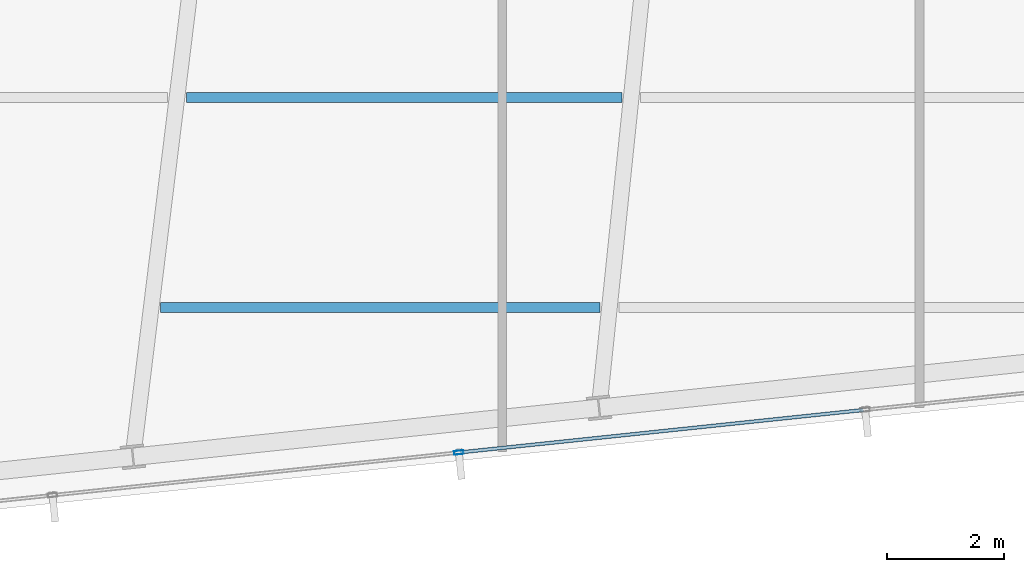
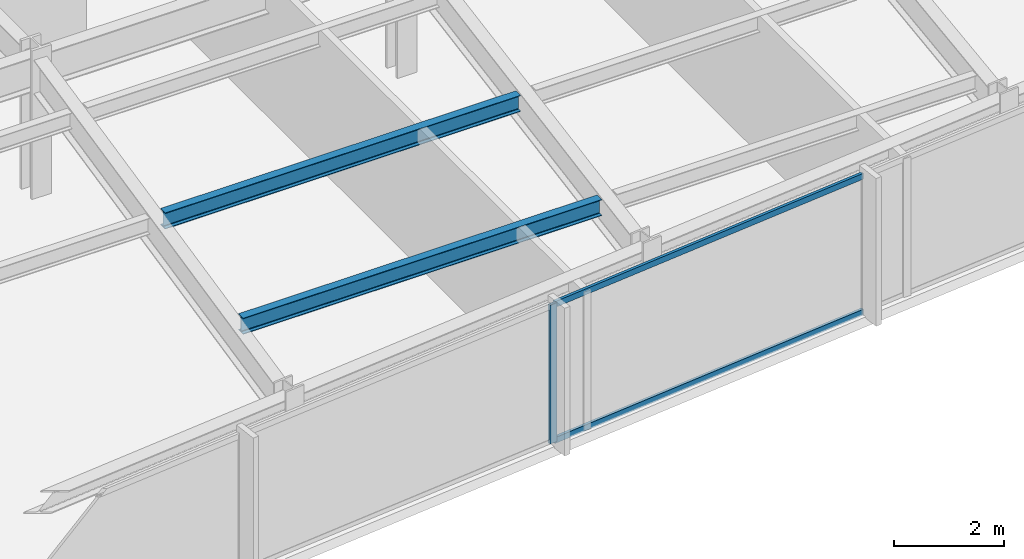
# One storey, part 7 of 32: 3 members, 2 beams, 1 element without a shape of its own.
"""IFC4 building model written with IfcOpenShell, lengths in metres."""

from ifc_helpers import new_model, si_unit, direction, frame, origin, origin_2d, place, context, subcontext, project, spatial, hollow_rectangle, i_section, extrude, material, material_profile, profile_set, type_object, element, aggregate, save


model = new_model("IFC4")

# Units and contexts
model_context = context("Model", 3, precision=1e-05, world=origin(), true_north=direction((0.0, 1.0)))
body_context = subcontext(model_context, "Body", "Model", "MODEL_VIEW")
ifc_project = project(units=[si_unit("LENGTHUNIT", "METRE"), si_unit("AREAUNIT", "SQUARE_METRE"), si_unit("VOLUMEUNIT", "CUBIC_METRE"), si_unit("PLANEANGLEUNIT", "RADIAN"), si_unit("MASSUNIT", "GRAM", prefix="KILO")], contexts=[model_context])

# Site, building, storey
site_placement = place(None, origin())
site = spatial("IfcSite", under=ifc_project, at=site_placement, CompositionType="ELEMENT")
building_placement = place(site_placement, origin())
building = spatial("IfcBuilding", under=site, at=building_placement, Name="Yelkora Congress Tower", CompositionType="ELEMENT")
storey_placement = place(building_placement, frame((0.0, 0.0, 207.800048828125)))
storey = spatial("IfcBuildingStorey", under=building, at=storey_placement, Name="L57", CompositionType="ELEMENT", Elevation=207.800048828125)

# Beams
ifc_material_1 = material(Name="Steel S355J2", Category="steel")
ifc_material_profile_1 = material_profile(ifc_material_1, i_section(OverallWidth=0.169921875, OverallDepth=0.360107421875, WebThickness=0.008056640625, FlangeThickness=0.0126953125, FilletRadius=0.01806640625, at=origin_2d()), Name="IPE 360")
ifc_profile_set_1 = profile_set([ifc_material_profile_1], Name="Steel S355J2")
beam_type = type_object("IfcBeamType", Name="BM-JOIST-IPE360", PredefinedType="JOIST", material=ifc_profile_set_1)
beam_1_placement = place(storey_placement, frame((29.76220703125, 16.07861328125, 2.89990234375), z_axis=(1.0, 0.0, 0.0), x_axis=(0.0, 1.0, 0.0)))
element("IfcBeam", 1, at=beam_1_placement, inside=storey, type_object=beam_type, Name="L57 Composite Floor Joist 1", PredefinedType="JOIST", context=body_context, shape_type="SweptSolid", body=[
    extrude(i_section(OverallWidth=0.169921875, OverallDepth=0.360107421875, WebThickness=0.008056640625, FlangeThickness=0.0126953125, FilletRadius=0.01806640625, at=origin_2d()), origin(), (0.0, 0.0, 1.0), 7.53369140625),
])
beam_2_placement = place(storey_placement, frame((30.203369140625, 19.678466796875, 2.89990234375), z_axis=(1.0, 0.0, 0.0), x_axis=(0.0, 1.0, 0.0)))
element("IfcBeam", 2, at=beam_2_placement, inside=storey, type_object=beam_type, Name="L57 Composite Floor Joist 4", PredefinedType="JOIST", context=body_context, shape_type="SweptSolid", body=[
    extrude(i_section(OverallWidth=0.169921875, OverallDepth=0.360107421875, WebThickness=0.008056640625, FlangeThickness=0.0126953125, FilletRadius=0.01806640625, at=origin_2d()), origin(), (0.0, 0.0, 1.0), 7.465087890625),
])

# Curtain wall, members
ifc_material_2 = material(Name="Anodised aluminium and insulated glass", Category="aluminium")
curtain_wall_type = type_object("IfcCurtainWallType", Name="CW-SYS-B4", PredefinedType="NOTDEFINED", material=ifc_material_2)
curtain_wall_placement = place(storey_placement, origin())
curtain_wall = element("IfcCurtainWall", 3, at=curtain_wall_placement, inside=storey, type_object=curtain_wall_type, Name="L57 Unitised Curtain Wall 20", PredefinedType="NOTDEFINED")
ifc_material_3 = material(Name="Anodised aluminium 6063-T6", Category="aluminium")
ifc_material_profile_2 = material_profile(ifc_material_3, hollow_rectangle(XDim=0.06494140625, YDim=0.159912109375, WallThickness=0.00390625, at=origin_2d()), Name="ALU 65x160x4")
ifc_profile_set_2 = profile_set([ifc_material_profile_2], Name="Anodised aluminium 6063-T6")
member_type_1 = type_object("IfcMemberType", Name="MEM-ML-B4", PredefinedType="MULLION", material=ifc_profile_set_2)
member_1_placement = place(storey_placement, frame((34.87353515625, 13.592529296875, 0.0), z_axis=(0.0, 0.0, 1.0), x_axis=(0.104526664994, -0.994522084373, 0.0)))
member_1 = element("IfcMember", 4, at=member_1_placement, type_object=member_type_1, Name="CW-B4 mullion 6", PredefinedType="MULLION", context=body_context, shape_type="SweptSolid", body=[
    extrude(hollow_rectangle(XDim=0.06494140625, YDim=0.159912109375, WallThickness=0.00390625, at=origin_2d()), origin(), (0.0, 0.0, 1.0), 3.079833984375),
])
ifc_material_profile_3 = material_profile(ifc_material_3, hollow_rectangle(XDim=0.06005859375, YDim=0.1298828125, WallThickness=0.00390625, at=origin_2d()), Name="ALU 60x130x4")
ifc_profile_set_3 = profile_set([ifc_material_profile_3], Name="Anodised aluminium 6063-T6")
member_type_2 = type_object("IfcMemberType", Name="MEM-TR-B4", PredefinedType="USERDEFINED", material=ifc_profile_set_3)
member_2_placement = place(storey_placement, frame((41.8056640625, 14.321044921875, 0.030029296875), z_axis=(-0.99452317859, -0.104516253509, 0.0), x_axis=(0.104516253509, -0.99452317859, 0.0)))
member_2 = element("IfcMember", 5, at=member_2_placement, type_object=member_type_2, Name="CW-B4 transom 5.1", ObjectType="TRANSOM", PredefinedType="USERDEFINED", context=body_context, shape_type="SweptSolid", body=[
    extrude(hollow_rectangle(XDim=0.06005859375, YDim=0.1298828125, WallThickness=0.00390625, at=origin_2d()), origin(), (0.0, 0.0, 1.0), 6.937744140625),
])
member_3_placement = place(storey_placement, frame((41.8056640625, 14.321044921875, 3.050048828125), z_axis=(-0.99452317859, -0.104516253509, 0.0), x_axis=(0.104516253509, -0.99452317859, 0.0)))
member_3 = element("IfcMember", 6, at=member_3_placement, type_object=member_type_2, Name="CW-B4 transom 5.2", ObjectType="TRANSOM", PredefinedType="USERDEFINED", context=body_context, shape_type="SweptSolid", body=[
    extrude(hollow_rectangle(XDim=0.06005859375, YDim=0.1298828125, WallThickness=0.00390625, at=origin_2d()), origin(), (0.0, 0.0, 1.0), 6.937744140625),
])
aggregate(curtain_wall, [member_1, member_2, member_3])

save(model, "model.ifc")
